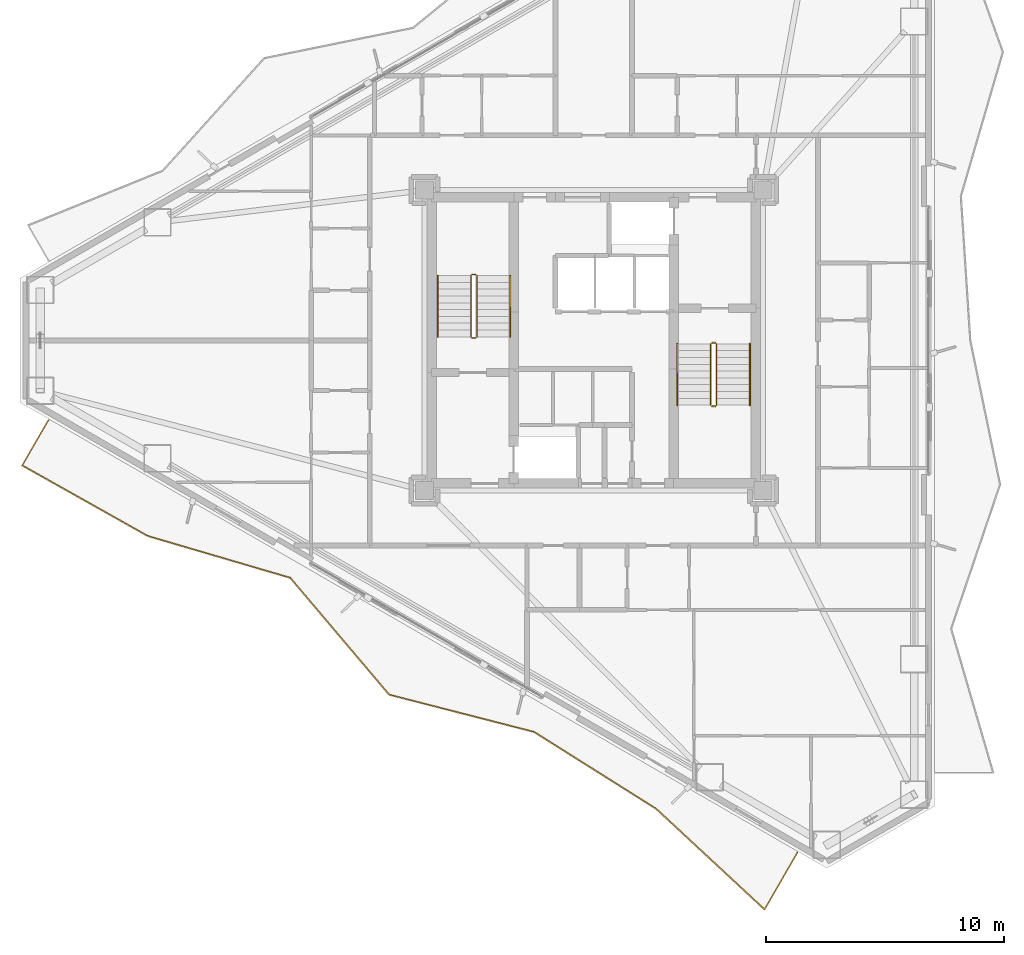
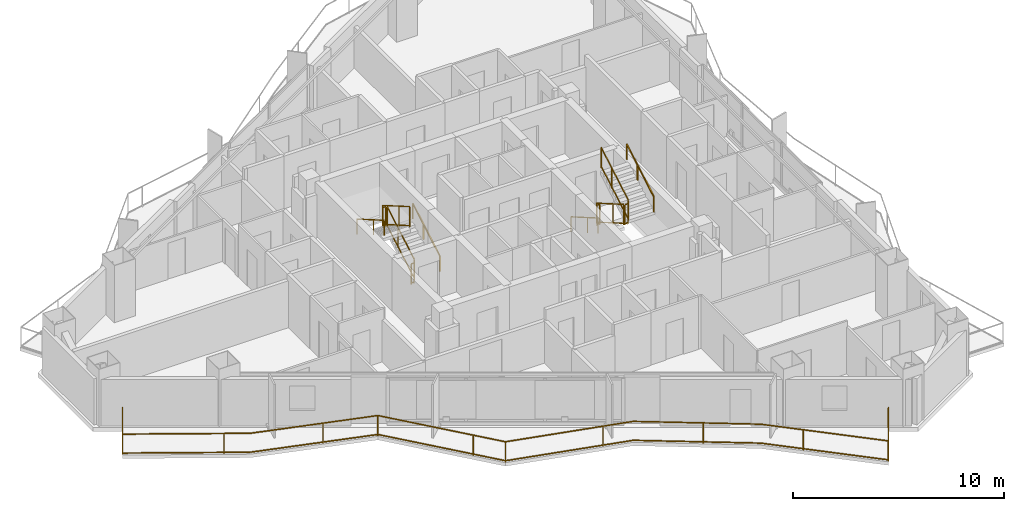
# One storey, part 21 of 22: 13 railings.
"""IFC4 building model written with IfcOpenShell, lengths in metres."""

from ifc_helpers import new_model, si_unit, direction, frame, origin, origin_2d, place, context, subcontext, project, spatial, rectangle, extrude, material, type_object, element, save


model = new_model("IFC4")

# Units and contexts
model_context = context("Model", 3, precision=1e-05, world=origin(), true_north=direction((0.0, 1.0)))
body_context = subcontext(model_context, "Body", "Model", "MODEL_VIEW")
ifc_project = project(units=[si_unit("LENGTHUNIT", "METRE"), si_unit("AREAUNIT", "SQUARE_METRE"), si_unit("VOLUMEUNIT", "CUBIC_METRE"), si_unit("PLANEANGLEUNIT", "RADIAN"), si_unit("MASSUNIT", "GRAM", prefix="KILO")], contexts=[model_context])

# Site, building, storey
site_placement = place(None, origin())
site = spatial("IfcSite", under=ifc_project, at=site_placement, CompositionType="ELEMENT")
building_placement = place(site_placement, origin())
building = spatial("IfcBuilding", under=site, at=building_placement, Name="Mersakhor Tower and Convention Hall", CompositionType="ELEMENT")
storey_placement = place(building_placement, frame((0.0, 0.0, 103.199951171875)))
storey = spatial("IfcBuildingStorey", under=building, at=storey_placement, Name="L28", CompositionType="ELEMENT", Elevation=103.199951171875)

# Railings
ifc_material_1 = material(Name="Powder-coated galvanised steel and laminated glass balustrade", Category="steel")
railing_type_1 = type_object("IfcRailingType", Name="RL-BAL-1200", PredefinedType="BALUSTRADE", material=ifc_material_1)
railing_1_placement = place(storey_placement, frame((6.1240234375, 23.4052734375, 0.0)))
element("IfcRailing", 1, at=railing_1_placement, inside=storey, type_object=railing_type_1, Name="L28 Sinusoidal Balcony Balustrade F3", PredefinedType="BALUSTRADE", context=body_context, shape_type="SweptSolid", body=[
    extrude(rectangle(XDim=0.048095703125, YDim=0.048095703125, at=origin_2d()), frame((0.0, 0.0, 1.17578125), z_axis=(-0.499896360094, -0.866085232044, 0.0), x_axis=(0.866085232044, -0.499896360094, 0.0)), (0.0, 0.0, 1.0), 2.1875),
    extrude(rectangle(XDim=0.048095703125, YDim=0.048095703125, at=origin_2d()), frame((0.0, 0.0, 0.080078125), z_axis=(-0.499896360094, -0.866085232044, 0.0), x_axis=(0.866085232044, -0.499896360094, 0.0)), (0.0, 0.0, 1.0), 2.1875),
    extrude(rectangle(XDim=0.048095703125, YDim=0.048095703125, at=origin_2d()), frame((-1.093505859375, -1.89453125, 1.17578125), z_axis=(0.871737236909, -0.489973662339, 0.0), x_axis=(0.489973662339, 0.871737236909, 0.0)), (0.0, 0.0, 1.0), 6.046630859375),
    extrude(rectangle(XDim=0.048095703125, YDim=0.048095703125, at=origin_2d()), frame((-1.093505859375, -1.89453125, 0.080078125), z_axis=(0.871737236909, -0.489973662339, 0.0), x_axis=(0.489973662339, 0.871737236909, 0.0)), (0.0, 0.0, 1.0), 6.046630859375),
    extrude(rectangle(XDim=0.048095703125, YDim=0.048095703125, at=origin_2d()), frame((4.177490234375, -4.857177734375, 1.17578125), z_axis=(0.959525304917, -0.281622423154, 0.0), x_axis=(0.281622423154, 0.959525304917, 0.0)), (0.0, 0.0, 1.0), 6.2216796875),
    extrude(rectangle(XDim=0.048095703125, YDim=0.048095703125, at=origin_2d()), frame((4.177490234375, -4.857177734375, 0.080078125), z_axis=(0.959525304917, -0.281622423154, 0.0), x_axis=(0.281622423154, 0.959525304917, 0.0)), (0.0, 0.0, 1.0), 6.2216796875),
    extrude(rectangle(XDim=0.048095703125, YDim=0.048095703125, at=origin_2d()), frame((10.1474609375, -6.609375, 1.17578125), z_axis=(0.646231833993, -0.763141151252, 0.0), x_axis=(0.763141151252, 0.646231833993, 0.0)), (0.0, 0.0, 1.0), 6.423583984375),
    extrude(rectangle(XDim=0.048095703125, YDim=0.048095703125, at=origin_2d()), frame((10.1474609375, -6.609375, 0.080078125), z_axis=(0.646231833993, -0.763141151252, 0.0), x_axis=(0.763141151252, 0.646231833993, 0.0)), (0.0, 0.0, 1.0), 6.423583984375),
    extrude(rectangle(XDim=0.048095703125, YDim=0.048095703125, at=origin_2d()), frame((14.298583984375, -11.511474609375, 1.17578125), z_axis=(0.968524551769, -0.248918043985, 0.0), x_axis=(0.248918043985, 0.968524551769, 0.0)), (0.0, 0.0, 1.0), 6.277099609375),
    extrude(rectangle(XDim=0.048095703125, YDim=0.048095703125, at=origin_2d()), frame((14.298583984375, -11.511474609375, 0.080078125), z_axis=(0.968524551769, -0.248918043985, 0.0), x_axis=(0.248918043985, 0.968524551769, 0.0)), (0.0, 0.0, 1.0), 6.277099609375),
    extrude(rectangle(XDim=0.048095703125, YDim=0.048095703125, at=origin_2d()), frame((20.378173828125, -13.073974609375, 1.17578125), z_axis=(0.846189040464, -0.532882827456, 0.0), x_axis=(0.532882827456, 0.846189040464, 0.0)), (0.0, 0.0, 1.0), 6.05078125),
    extrude(rectangle(XDim=0.048095703125, YDim=0.048095703125, at=origin_2d()), frame((20.378173828125, -13.073974609375, 0.080078125), z_axis=(0.846189040464, -0.532882827456, 0.0), x_axis=(0.532882827456, 0.846189040464, 0.0)), (0.0, 0.0, 1.0), 6.05078125),
    extrude(rectangle(XDim=0.048095703125, YDim=0.048095703125, at=origin_2d()), frame((25.498291015625, -16.29833984375, 1.17578125), z_axis=(0.732799099615, -0.680445059945, 0.0), x_axis=(0.680445059945, 0.732799099615, 0.0)), (0.0, 0.0, 1.0), 6.2021484375),
    extrude(rectangle(XDim=0.048095703125, YDim=0.048095703125, at=origin_2d()), frame((25.498291015625, -16.29833984375, 0.080078125), z_axis=(0.732799099615, -0.680445059945, 0.0), x_axis=(0.680445059945, 0.732799099615, 0.0)), (0.0, 0.0, 1.0), 6.2021484375),
    extrude(rectangle(XDim=0.048095703125, YDim=0.048095703125, at=origin_2d()), frame((30.043212890625, -20.5185546875, 1.17578125), z_axis=(0.499999305434, 0.866025804792, 0.0), x_axis=(-0.866025804792, 0.499999305434, 0.0)), (0.0, 0.0, 1.0), 2.748046875),
    extrude(rectangle(XDim=0.048095703125, YDim=0.048095703125, at=origin_2d()), frame((30.043212890625, -20.5185546875, 0.080078125), z_axis=(0.499999305434, 0.866025804792, 0.0), x_axis=(-0.866025804792, 0.499999305434, 0.0)), (0.0, 0.0, 1.0), 2.748046875),
    extrude(rectangle(XDim=0.0419921875, YDim=0.0419921875, at=origin_2d()), origin(), (0.0, 0.0, 1.0), 1.15185546875),
    extrude(rectangle(XDim=0.0419921875, YDim=0.0419921875, at=origin_2d()), frame((-1.093505859375, -1.89453125, 0.0)), (0.0, 0.0, 1.0), 1.15185546875),
    extrude(rectangle(XDim=0.0419921875, YDim=0.0419921875, at=origin_2d()), frame((3.0908203125, -4.246337890625, 0.0)), (0.0, 0.0, 1.0), 1.15185546875),
    extrude(rectangle(XDim=0.0419921875, YDim=0.0419921875, at=origin_2d()), frame((7.587158203125, -5.85791015625, 0.0)), (0.0, 0.0, 1.0), 1.15185546875),
    extrude(rectangle(XDim=0.0419921875, YDim=0.0419921875, at=origin_2d()), frame((10.1474609375, -6.609375, 0.0)), (0.0, 0.0, 1.0), 1.15185546875),
    extrude(rectangle(XDim=0.0419921875, YDim=0.0419921875, at=origin_2d()), frame((13.249267578125, -10.2724609375, 0.0)), (0.0, 0.0, 1.0), 1.15185546875),
    extrude(rectangle(XDim=0.0419921875, YDim=0.0419921875, at=origin_2d()), frame((14.298583984375, -11.511474609375, 0.0)), (0.0, 0.0, 1.0), 1.15185546875),
    extrude(rectangle(XDim=0.0419921875, YDim=0.0419921875, at=origin_2d()), frame((18.947509765625, -12.706298828125, 0.0)), (0.0, 0.0, 1.0), 1.15185546875),
    extrude(rectangle(XDim=0.0419921875, YDim=0.0419921875, at=origin_2d()), frame((23.18994140625, -14.8447265625, 0.0)), (0.0, 0.0, 1.0), 1.15185546875),
    extrude(rectangle(XDim=0.0419921875, YDim=0.0419921875, at=origin_2d()), frame((27.0166015625, -17.708251953125, 0.0)), (0.0, 0.0, 1.0), 1.15185546875),
    extrude(rectangle(XDim=0.0419921875, YDim=0.0419921875, at=origin_2d()), frame((30.043212890625, -20.5185546875, 0.0)), (0.0, 0.0, 1.0), 1.15185546875),
    extrude(rectangle(XDim=0.0419921875, YDim=0.0419921875, at=origin_2d()), frame((31.417236328125, -18.138671875, 0.0)), (0.0, 0.0, 1.0), 1.15185546875),
])
ifc_material_2 = material(Name="Brushed stainless steel handrail", Category="steel")
railing_type_2 = type_object("IfcRailingType", Name="RL-HR-900", PredefinedType="HANDRAIL", material=ifc_material_2)
railing_2_placement = place(storey_placement, frame((25.5, 26.89990234375, 0.1650390625)))
element("IfcRailing", 2, at=railing_2_placement, inside=storey, type_object=railing_type_2, Name="L28 ST-1 stair handrail 1", PredefinedType="HANDRAIL", context=body_context, shape_type="SweptSolid", body=[
    extrude(rectangle(XDim=0.048095703125, YDim=0.048095703125, at=origin_2d()), frame((0.0, 0.0, 0.8759765625), z_axis=(0.0, 0.865426285481, 0.501036270542), x_axis=(-1.0, 0.0, 0.0)), (0.0, 0.0, 1.0), 2.964111328125),
    extrude(rectangle(XDim=0.0419921875, YDim=0.0419921875, at=origin_2d()), origin(), (0.0, 0.0, 1.0), 0.851806640625),
    extrude(rectangle(XDim=0.0419921875, YDim=0.0419921875, at=origin_2d()), frame((0.0, 1.557861328125, 0.90185546875)), (0.0, 0.0, 1.0), 0.851806640625),
    extrude(rectangle(XDim=0.0419921875, YDim=0.0419921875, at=origin_2d()), frame((0.0, 2.565185546875, 1.485107421875)), (0.0, 0.0, 1.0), 0.851806640625),
])
for number, where, name in (
    (3, (22.449951171875, 29.465087890625, 1.81494140625), "L28 ST-1 stair handrail 2"),
    (4, (32.5, 26.60009765625, 0.1650390625), "L28 ST-2 stair handrail 1"),
):
    element("IfcRailing", number, at=place(storey_placement, frame(where)), inside=storey, type_object=railing_type_2, Name=name, PredefinedType="HANDRAIL", context=body_context, shape_type="SweptSolid", body=[
        extrude(rectangle(XDim=0.048095703125, YDim=0.048095703125, at=origin_2d()), frame((0.0, 0.0, 0.8759765625), z_axis=(0.0, -0.865426285481, 0.501036270542), x_axis=(1.0, 0.0, 0.0)), (0.0, 0.0, 1.0), 2.964111328125),
        extrude(rectangle(XDim=0.0419921875, YDim=0.0419921875, at=origin_2d()), origin(), (0.0, 0.0, 1.0), 0.851806640625),
        extrude(rectangle(XDim=0.0419921875, YDim=0.0419921875, at=origin_2d()), frame((0.0, -1.557861328125, 0.90185546875)), (0.0, 0.0, 1.0), 0.851806640625),
        extrude(rectangle(XDim=0.0419921875, YDim=0.0419921875, at=origin_2d()), frame((0.0, -2.565185546875, 1.485107421875)), (0.0, 0.0, 1.0), 0.851806640625),
    ])
railing_3_placement = place(storey_placement, frame((35.550048828125, 24.034912109375, 1.81494140625)))
element("IfcRailing", 5, at=railing_3_placement, inside=storey, type_object=railing_type_2, Name="L28 ST-2 stair handrail 2", PredefinedType="HANDRAIL", context=body_context, shape_type="SweptSolid", body=[
    extrude(rectangle(XDim=0.048095703125, YDim=0.048095703125, at=origin_2d()), frame((0.0, 0.0, 0.8759765625), z_axis=(0.0, 0.865426285481, 0.501036270542), x_axis=(-1.0, 0.0, 0.0)), (0.0, 0.0, 1.0), 2.964111328125),
    extrude(rectangle(XDim=0.0419921875, YDim=0.0419921875, at=origin_2d()), origin(), (0.0, 0.0, 1.0), 0.851806640625),
    extrude(rectangle(XDim=0.0419921875, YDim=0.0419921875, at=origin_2d()), frame((0.0, 1.557861328125, 0.90185546875)), (0.0, 0.0, 1.0), 0.851806640625),
    extrude(rectangle(XDim=0.0419921875, YDim=0.0419921875, at=origin_2d()), frame((0.0, 2.565185546875, 1.485107421875)), (0.0, 0.0, 1.0), 0.851806640625),
])
ifc_material_3 = material(Name="Painted steel stair balustrade S355", Category="steel")
railing_type_3 = type_object("IfcRailingType", Name="RL-STG-1200", PredefinedType="BALUSTRADE", material=ifc_material_3)
railing_4_placement = place(storey_placement, frame((24.10009765625, 26.89990234375, 0.1650390625)))
element("IfcRailing", 6, at=railing_4_placement, inside=storey, type_object=railing_type_3, Name="L28 ST-1 stair guard 1", PredefinedType="BALUSTRADE", context=body_context, shape_type="SweptSolid", body=[
    extrude(rectangle(XDim=0.048095703125, YDim=0.048095703125, at=origin_2d()), frame((0.0, 0.0, 1.17578125), z_axis=(0.0, 0.865426285481, 0.501036270542), x_axis=(-1.0, 0.0, 0.0)), (0.0, 0.0, 1.0), 2.964111328125),
    extrude(rectangle(XDim=0.048095703125, YDim=0.048095703125, at=origin_2d()), frame((0.0, 0.0, 0.080078125), z_axis=(0.0, 0.865426285481, 0.501036270542), x_axis=(-1.0, 0.0, 0.0)), (0.0, 0.0, 1.0), 2.964111328125),
    extrude(rectangle(XDim=0.0419921875, YDim=0.0419921875, at=origin_2d()), origin(), (0.0, 0.0, 1.0), 1.15185546875),
    extrude(rectangle(XDim=0.0419921875, YDim=0.0419921875, at=origin_2d()), frame((0.0, 1.557861328125, 0.90185546875)), (0.0, 0.0, 1.0), 1.15185546875),
    extrude(rectangle(XDim=0.0419921875, YDim=0.0419921875, at=origin_2d()), frame((0.0, 2.565185546875, 1.485107421875)), (0.0, 0.0, 1.0), 1.15185546875),
])
railing_5_placement = place(storey_placement, frame((24.050048828125, 29.514892578125, 1.650146484375)))
element("IfcRailing", 7, at=railing_5_placement, inside=storey, type_object=railing_type_3, Name="L28 ST-1 stair guard 2", PredefinedType="BALUSTRADE", context=body_context, shape_type="SweptSolid", body=[
    extrude(rectangle(XDim=0.048095703125, YDim=0.048095703125, at=origin_2d()), frame((0.0, 0.0, 1.17578125), z_axis=(-1.0, 0.0, 0.0), x_axis=(0.0, -1.0, 0.0)), (0.0, 0.0, 1.0), 0.150146484375),
    extrude(rectangle(XDim=0.048095703125, YDim=0.048095703125, at=origin_2d()), frame((0.0, 0.0, 0.080078125), z_axis=(-1.0, 0.0, 0.0), x_axis=(0.0, -1.0, 0.0)), (0.0, 0.0, 1.0), 0.150146484375),
    extrude(rectangle(XDim=0.0419921875, YDim=0.0419921875, at=origin_2d()), origin(), (0.0, 0.0, 1.0), 1.15185546875),
    extrude(rectangle(XDim=0.0419921875, YDim=0.0419921875, at=origin_2d()), frame((-0.150146484375, 0.0, 0.0)), (0.0, 0.0, 1.0), 1.15185546875),
])
railing_6_placement = place(storey_placement, frame((23.85009765625, 29.465087890625, 1.81494140625)))
element("IfcRailing", 8, at=railing_6_placement, inside=storey, type_object=railing_type_3, Name="L28 ST-1 stair guard 3", PredefinedType="BALUSTRADE", context=body_context, shape_type="SweptSolid", body=[
    extrude(rectangle(XDim=0.048095703125, YDim=0.048095703125, at=origin_2d()), frame((0.0, 0.0, 1.17578125), z_axis=(0.0, -0.865426285481, 0.501036270542), x_axis=(1.0, 0.0, 0.0)), (0.0, 0.0, 1.0), 2.964111328125),
    extrude(rectangle(XDim=0.048095703125, YDim=0.048095703125, at=origin_2d()), frame((0.0, 0.0, 0.080078125), z_axis=(0.0, -0.865426285481, 0.501036270542), x_axis=(1.0, 0.0, 0.0)), (0.0, 0.0, 1.0), 2.964111328125),
    extrude(rectangle(XDim=0.0419921875, YDim=0.0419921875, at=origin_2d()), origin(), (0.0, 0.0, 1.0), 1.15185546875),
    extrude(rectangle(XDim=0.0419921875, YDim=0.0419921875, at=origin_2d()), frame((0.0, -1.557861328125, 0.90185546875)), (0.0, 0.0, 1.0), 1.15185546875),
    extrude(rectangle(XDim=0.0419921875, YDim=0.0419921875, at=origin_2d()), frame((0.0, -2.565185546875, 1.485107421875)), (0.0, 0.0, 1.0), 1.15185546875),
])
railing_7_placement = place(storey_placement, frame((24.050048828125, 26.85009765625, 0.0)))
element("IfcRailing", 9, at=railing_7_placement, inside=storey, type_object=railing_type_3, Name="L28 ST-1 stair guard 4", PredefinedType="BALUSTRADE", context=body_context, shape_type="SweptSolid", body=[
    extrude(rectangle(XDim=0.048095703125, YDim=0.048095703125, at=origin_2d()), frame((0.0, 0.0, 1.17578125), z_axis=(-1.0, 0.0, 0.0), x_axis=(0.0, -1.0, 0.0)), (0.0, 0.0, 1.0), 0.150146484375),
    extrude(rectangle(XDim=0.048095703125, YDim=0.048095703125, at=origin_2d()), frame((0.0, 0.0, 0.080078125), z_axis=(-1.0, 0.0, 0.0), x_axis=(0.0, -1.0, 0.0)), (0.0, 0.0, 1.0), 0.150146484375),
    extrude(rectangle(XDim=0.0419921875, YDim=0.0419921875, at=origin_2d()), origin(), (0.0, 0.0, 1.0), 1.15185546875),
    extrude(rectangle(XDim=0.0419921875, YDim=0.0419921875, at=origin_2d()), frame((-0.150146484375, 0.0, 0.0)), (0.0, 0.0, 1.0), 1.15185546875),
])
railing_8_placement = place(storey_placement, frame((33.89990234375, 26.60009765625, 0.1650390625)))
element("IfcRailing", 10, at=railing_8_placement, inside=storey, type_object=railing_type_3, Name="L28 ST-2 stair guard 1", PredefinedType="BALUSTRADE", context=body_context, shape_type="SweptSolid", body=[
    extrude(rectangle(XDim=0.048095703125, YDim=0.048095703125, at=origin_2d()), frame((0.0, 0.0, 1.17578125), z_axis=(0.0, -0.865426285481, 0.501036270542), x_axis=(1.0, 0.0, 0.0)), (0.0, 0.0, 1.0), 2.964111328125),
    extrude(rectangle(XDim=0.048095703125, YDim=0.048095703125, at=origin_2d()), frame((0.0, 0.0, 0.080078125), z_axis=(0.0, -0.865426285481, 0.501036270542), x_axis=(1.0, 0.0, 0.0)), (0.0, 0.0, 1.0), 2.964111328125),
    extrude(rectangle(XDim=0.0419921875, YDim=0.0419921875, at=origin_2d()), origin(), (0.0, 0.0, 1.0), 1.15185546875),
    extrude(rectangle(XDim=0.0419921875, YDim=0.0419921875, at=origin_2d()), frame((0.0, -1.557861328125, 0.90185546875)), (0.0, 0.0, 1.0), 1.15185546875),
    extrude(rectangle(XDim=0.0419921875, YDim=0.0419921875, at=origin_2d()), frame((0.0, -2.565185546875, 1.485107421875)), (0.0, 0.0, 1.0), 1.15185546875),
])
railing_9_placement = place(storey_placement, frame((33.949951171875, 23.985107421875, 1.650146484375)))
element("IfcRailing", 11, at=railing_9_placement, inside=storey, type_object=railing_type_3, Name="L28 ST-2 stair guard 2", PredefinedType="BALUSTRADE", context=body_context, shape_type="SweptSolid", body=[
    extrude(rectangle(XDim=0.048095703125, YDim=0.048095703125, at=origin_2d()), frame((0.0, 0.0, 1.17578125), z_axis=(1.0, 0.0, 0.0), x_axis=(0.0, 1.0, 0.0)), (0.0, 0.0, 1.0), 0.150146484375),
    extrude(rectangle(XDim=0.048095703125, YDim=0.048095703125, at=origin_2d()), frame((0.0, 0.0, 0.080078125), z_axis=(1.0, 0.0, 0.0), x_axis=(0.0, 1.0, 0.0)), (0.0, 0.0, 1.0), 0.150146484375),
    extrude(rectangle(XDim=0.0419921875, YDim=0.0419921875, at=origin_2d()), origin(), (0.0, 0.0, 1.0), 1.15185546875),
    extrude(rectangle(XDim=0.0419921875, YDim=0.0419921875, at=origin_2d()), frame((0.150146484375, 0.0, 0.0)), (0.0, 0.0, 1.0), 1.15185546875),
])
railing_10_placement = place(storey_placement, frame((34.14990234375, 24.034912109375, 1.81494140625)))
element("IfcRailing", 12, at=railing_10_placement, inside=storey, type_object=railing_type_3, Name="L28 ST-2 stair guard 3", PredefinedType="BALUSTRADE", context=body_context, shape_type="SweptSolid", body=[
    extrude(rectangle(XDim=0.048095703125, YDim=0.048095703125, at=origin_2d()), frame((0.0, 0.0, 1.17578125), z_axis=(0.0, 0.865426285481, 0.501036270542), x_axis=(-1.0, 0.0, 0.0)), (0.0, 0.0, 1.0), 2.964111328125),
    extrude(rectangle(XDim=0.048095703125, YDim=0.048095703125, at=origin_2d()), frame((0.0, 0.0, 0.080078125), z_axis=(0.0, 0.865426285481, 0.501036270542), x_axis=(-1.0, 0.0, 0.0)), (0.0, 0.0, 1.0), 2.964111328125),
    extrude(rectangle(XDim=0.0419921875, YDim=0.0419921875, at=origin_2d()), origin(), (0.0, 0.0, 1.0), 1.15185546875),
    extrude(rectangle(XDim=0.0419921875, YDim=0.0419921875, at=origin_2d()), frame((0.0, 1.557861328125, 0.90185546875)), (0.0, 0.0, 1.0), 1.15185546875),
    extrude(rectangle(XDim=0.0419921875, YDim=0.0419921875, at=origin_2d()), frame((0.0, 2.565185546875, 1.485107421875)), (0.0, 0.0, 1.0), 1.15185546875),
])
railing_11_placement = place(storey_placement, frame((33.949951171875, 26.64990234375, 0.0)))
element("IfcRailing", 13, at=railing_11_placement, inside=storey, type_object=railing_type_3, Name="L28 ST-2 stair guard 4", PredefinedType="BALUSTRADE", context=body_context, shape_type="SweptSolid", body=[
    extrude(rectangle(XDim=0.048095703125, YDim=0.048095703125, at=origin_2d()), frame((0.0, 0.0, 1.17578125), z_axis=(1.0, 0.0, 0.0), x_axis=(0.0, 1.0, 0.0)), (0.0, 0.0, 1.0), 0.150146484375),
    extrude(rectangle(XDim=0.048095703125, YDim=0.048095703125, at=origin_2d()), frame((0.0, 0.0, 0.080078125), z_axis=(1.0, 0.0, 0.0), x_axis=(0.0, 1.0, 0.0)), (0.0, 0.0, 1.0), 0.150146484375),
    extrude(rectangle(XDim=0.0419921875, YDim=0.0419921875, at=origin_2d()), origin(), (0.0, 0.0, 1.0), 1.15185546875),
    extrude(rectangle(XDim=0.0419921875, YDim=0.0419921875, at=origin_2d()), frame((0.150146484375, 0.0, 0.0)), (0.0, 0.0, 1.0), 1.15185546875),
])

save(model, "model.ifc")
